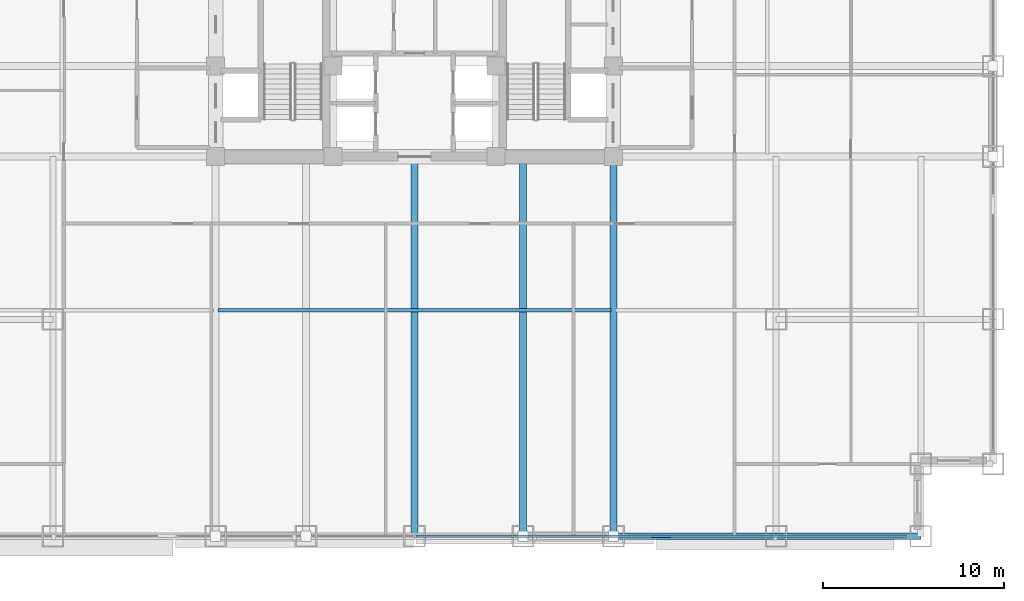
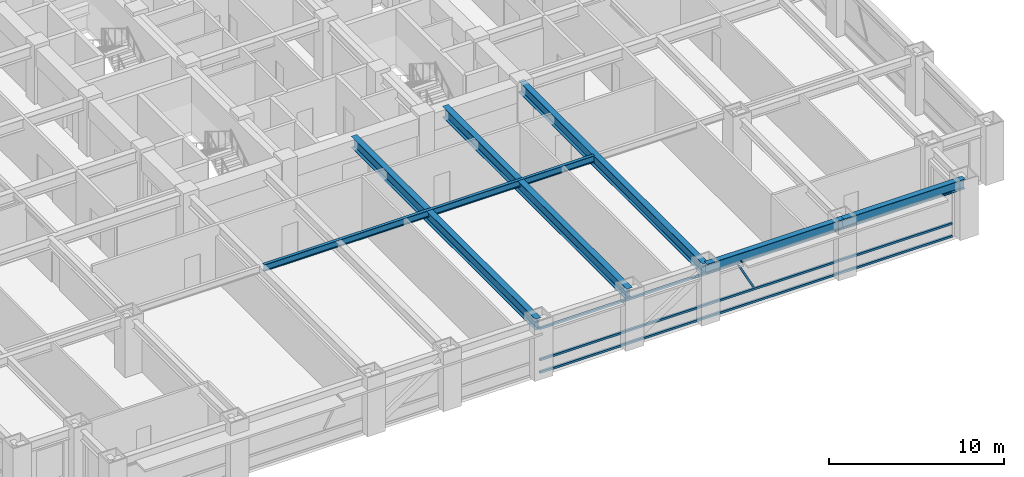
# One storey, part 5 of 32: 6 beams, 4 members, 1 element without a shape of its own.
"""IFC4 building model written with IfcOpenShell, lengths in metres."""

from ifc_helpers import new_model, si_unit, direction, frame, origin, origin_2d, place, context, subcontext, project, spatial, hollow_rectangle, i_section, extrude, source, transform, mapped, material, material_profile, profile_set, type_object, element, aggregate, save


model = new_model("IFC4")

# Units and contexts
model_context = context("Model", 3, precision=1e-05, world=origin(), true_north=direction((0.0, 1.0)))
body_context = subcontext(model_context, "Body", "Model", "MODEL_VIEW")
ifc_project = project(units=[si_unit("LENGTHUNIT", "METRE"), si_unit("AREAUNIT", "SQUARE_METRE"), si_unit("VOLUMEUNIT", "CUBIC_METRE"), si_unit("PLANEANGLEUNIT", "RADIAN"), si_unit("MASSUNIT", "GRAM", prefix="KILO")], contexts=[model_context])

# Site, building, storey
site_placement = place(None, origin())
site = spatial("IfcSite", under=ifc_project, at=site_placement, CompositionType="ELEMENT")
building_placement = place(site_placement, origin())
building = spatial("IfcBuilding", under=site, at=building_placement, Name="Khorayat Bourse Tower", CompositionType="ELEMENT")
storey_placement = place(building_placement, frame((0.0, 0.0, 128.300048828125)))
storey = spatial("IfcBuildingStorey", under=building, at=storey_placement, Name="L29", CompositionType="ELEMENT", Elevation=128.300048828125)

# Beams
ifc_material_1 = material(Name="Steel ASTM A992 Grade 50", Category="steel")
ifc_material_profile_1 = material_profile(ifc_material_1, i_section(OverallWidth=0.35498046875, OverallDepth=0.695068359375, WebThickness=0.015380859375, FlangeThickness=0.02490234375, FilletRadius=0.01806640625, at=origin_2d()), Name="W690X217")
ifc_profile_set_1 = profile_set([ifc_material_profile_1], Name="Steel ASTM A992 Grade 50")
beam_type_1 = type_object("IfcBeamType", Name="BM-SPAN-690", PredefinedType="SPANDREL", material=ifc_profile_set_1)
shared_shape_1 = source(origin(), body_context, "Body", "SweptSolid", [
    extrude(i_section(OverallWidth=0.35498046875, OverallDepth=0.695068359375, WebThickness=0.015380859375, FlangeThickness=0.02490234375, FilletRadius=0.01806640625, at=origin_2d()), origin(), (0.0, 0.0, 1.0), 9.0),
])
beam_1_placement = place(storey_placement, frame((11.0, -32.0, 3.492431640625), z_axis=(1.0, 0.0, 0.0), x_axis=(0.0, 1.0, 0.0)))
element("IfcBeam", 1, at=beam_1_placement, inside=storey, type_object=beam_type_1, Name="L29 BM-SPAN-690 BM-L29-SPN-030", PredefinedType="SPANDREL", context=body_context, shape_type="MappedRepresentation", body=[
    mapped(shared_shape_1, transform((0.0, 0.0, 0.0), scale=1.0)),
])
ifc_material_profile_2 = material_profile(ifc_material_1, i_section(OverallWidth=0.194091796875, OverallDepth=0.468994140625, WebThickness=0.0126953125, FlangeThickness=0.0205078125, FilletRadius=0.012939453125, at=origin_2d()), Name="W460X106")
ifc_profile_set_2 = profile_set([ifc_material_profile_2], Name="Steel ASTM A992 Grade 50")
beam_type_2 = type_object("IfcBeamType", Name="BM-JOIST-460", PredefinedType="JOIST", material=ifc_profile_set_2)
shared_shape_2 = source(origin(), body_context, "Body", "SweptSolid", [
    extrude(i_section(OverallWidth=0.194091796875, OverallDepth=0.468994140625, WebThickness=0.0126953125, FlangeThickness=0.0205078125, FilletRadius=0.012939453125, at=origin_2d()), origin(), (0.0, 0.0, 1.0), 21.740234375),
])
beam_2_placement = place(storey_placement, frame((-10.8701171875, -19.5, 3.60546875), z_axis=(1.0, 0.0, 0.0), x_axis=(0.0, 1.0, 0.0)))
element("IfcBeam", 2, at=beam_2_placement, inside=storey, type_object=beam_type_2, Name="L29 BM-JOIST-460 BM-L29-JSTX-097", PredefinedType="JOIST", context=body_context, shape_type="MappedRepresentation", body=[
    mapped(shared_shape_2, transform((0.0, 0.0, 0.0), scale=1.0)),
])
shared_shape_3 = source(origin(), body_context, "Body", "SweptSolid", [
    extrude(i_section(OverallWidth=0.35498046875, OverallDepth=0.695068359375, WebThickness=0.015380859375, FlangeThickness=0.02490234375, FilletRadius=0.01806640625, at=origin_2d()), origin(), (0.0, 0.0, 1.0), 8.0),
])
beam_3_placement = place(storey_placement, frame((20.0, -32.0, 3.492431640625), z_axis=(1.0, 0.0, 0.0), x_axis=(0.0, 1.0, 0.0)))
element("IfcBeam", 3, at=beam_3_placement, inside=storey, type_object=beam_type_1, Name="L29 BM-SPAN-690 BM-L29-SPN-031", PredefinedType="SPANDREL", context=body_context, shape_type="MappedRepresentation", body=[
    mapped(shared_shape_3, transform((0.0, 0.0, 0.0), scale=1.0)),
])
ifc_material_profile_3 = material_profile(ifc_material_1, i_section(OverallWidth=0.381103515625, OverallDepth=0.77294921875, WebThickness=0.0166015625, FlangeThickness=0.027587890625, FilletRadius=0.01806640625, at=origin_2d()), Name="W760X257")
ifc_profile_set_3 = profile_set([ifc_material_profile_3], Name="Steel ASTM A992 Grade 50")
beam_type_3 = type_object("IfcBeamType", Name="BM-GIRD-760", PredefinedType="BEAM", material=ifc_profile_set_3)
shared_shape_4 = source(origin(), body_context, "Body", "SweptSolid", [
    extrude(i_section(OverallWidth=0.381103515625, OverallDepth=0.77294921875, WebThickness=0.0166015625, FlangeThickness=0.027587890625, FilletRadius=0.01806640625, at=origin_2d()), origin(), (0.0, 0.0, 1.0), 21.0),
])
for number, where, z_axis, x_axis, name in (
    (4, (0.0, -32.0, 3.453369140625), (0.0, 1.0, 0.0), (-1.0, 0.0, 0.0), "L29 BM-GIRD-760 BM-L29-RADY-069"),
    (5, (6.0, -32.0, 3.453369140625), (0.0, 1.0, 0.0), (-1.0, 0.0, 0.0), "L29 BM-GIRD-760 BM-L29-RADY-071"),
    (6, (11.0, -32.0, 3.453369140625), (0.0, 1.0, 0.0), (-1.0, 0.0, 0.0), "L29 BM-GIRD-760 BM-L29-RADY-073"),
):
    element("IfcBeam", number, at=place(storey_placement, frame(where, z_axis=z_axis, x_axis=x_axis)), inside=storey, type_object=beam_type_3, Name=name, PredefinedType="BEAM", context=body_context, shape_type="MappedRepresentation", body=[
        mapped(shared_shape_4, transform((0.0, 0.0, 0.0), scale=1.0)),
    ])

# Curtain wall, members
ifc_material_2 = material(Name="Aluminium EN AW-6063 T6", Category="aluminium")
curtain_wall_type = type_object("IfcCurtainWallType", Name="CW-SYS-02", PredefinedType="NOTDEFINED", material=ifc_material_2)
curtain_wall_placement = place(storey_placement, origin())
curtain_wall = element("IfcCurtainWall", 7, at=curtain_wall_placement, inside=storey, type_object=curtain_wall_type, Name="L29 Curtain Wall CW-L29-S1", PredefinedType="NOTDEFINED")
ifc_material_profile_4 = material_profile(ifc_material_2, hollow_rectangle(XDim=0.139892578125, YDim=0.139892578125, WallThickness=0.006103515625, at=origin_2d()), Name="ALU 140x140x6")
ifc_profile_set_4 = profile_set([ifc_material_profile_4], Name="Aluminium EN AW-6063 T6")
member_type_1 = type_object("IfcMemberType", Name="CWT-HORZ-140", PredefinedType="USERDEFINED", material=ifc_profile_set_4)
shared_shape_5 = source(origin(), body_context, "Body", "SweptSolid", [
    extrude(hollow_rectangle(XDim=0.139892578125, YDim=0.139892578125, WallThickness=0.006103515625, at=origin_2d()), origin(), (0.0, 0.0, 1.0), 27.139892578125),
])
member_1_placement = place(storey_placement, frame((0.070068359375, -32.0, 0.070068359375), z_axis=(1.0, 0.0, 0.0), x_axis=(0.0, 1.0, 0.0)))
member_1 = element("IfcMember", 8, at=member_1_placement, type_object=member_type_1, Name="CW-L29-S1 Horizontal Transom 2-1", ObjectType="TRANSOM", PredefinedType="USERDEFINED", context=body_context, shape_type="MappedRepresentation", body=[
    mapped(shared_shape_5, transform((0.0, 0.0, 0.0), scale=1.0)),
])
member_2_placement = place(storey_placement, frame((0.070068359375, -32.0, 0.949951171875), z_axis=(1.0, 0.0, 0.0), x_axis=(0.0, 1.0, 0.0)))
member_2 = element("IfcMember", 9, at=member_2_placement, type_object=member_type_1, Name="CW-L29-S1 Horizontal Transom 2-2", ObjectType="TRANSOM", PredefinedType="USERDEFINED", context=body_context, shape_type="MappedRepresentation", body=[
    mapped(shared_shape_5, transform((0.0, 0.0, 0.0), scale=1.0)),
])
member_3_placement = place(storey_placement, frame((0.070068359375, -32.0, 3.119873046875), z_axis=(1.0, 0.0, 0.0), x_axis=(0.0, 1.0, 0.0)))
member_3 = element("IfcMember", 10, at=member_3_placement, type_object=member_type_1, Name="CW-L29-S1 Horizontal Transom 2-3", ObjectType="TRANSOM", PredefinedType="USERDEFINED", context=body_context, shape_type="MappedRepresentation", body=[
    mapped(shared_shape_5, transform((0.0, 0.0, 0.0), scale=1.0)),
])
ifc_material_profile_5 = material_profile(ifc_material_2, hollow_rectangle(XDim=0.1201171875, YDim=0.1201171875, WallThickness=0.0048828125, at=origin_2d()), Name="ALU 120x120x5")
ifc_profile_set_5 = profile_set([ifc_material_profile_5], Name="Aluminium EN AW-6063 T6")
member_type_2 = type_object("IfcMemberType", Name="CWM-DIAG-120", PredefinedType="MULLION", material=ifc_profile_set_5)
shared_shape_6 = source(origin(), body_context, "Body", "SweptSolid", [
    extrude(hollow_rectangle(XDim=0.1201171875, YDim=0.1201171875, WallThickness=0.0048828125, at=origin_2d()), origin(), (0.0, 0.0, 1.0), 2.11328125),
])
member_4_placement = place(storey_placement, frame((14.132080078125, -32.0, 1.099853515625), z_axis=(-0.465694055905, 0.0, 0.884945787207), x_axis=(0.0, -1.0, 0.0)))
member_4 = element("IfcMember", 11, at=member_4_placement, type_object=member_type_2, Name="CW-L29-S1 Faceted Diagonal Mullion 2", PredefinedType="MULLION", context=body_context, shape_type="MappedRepresentation", body=[
    mapped(shared_shape_6, transform((0.0, 0.0, 0.0), scale=1.0)),
])
aggregate(curtain_wall, [member_1, member_2, member_3, member_4])

save(model, "model.ifc")
